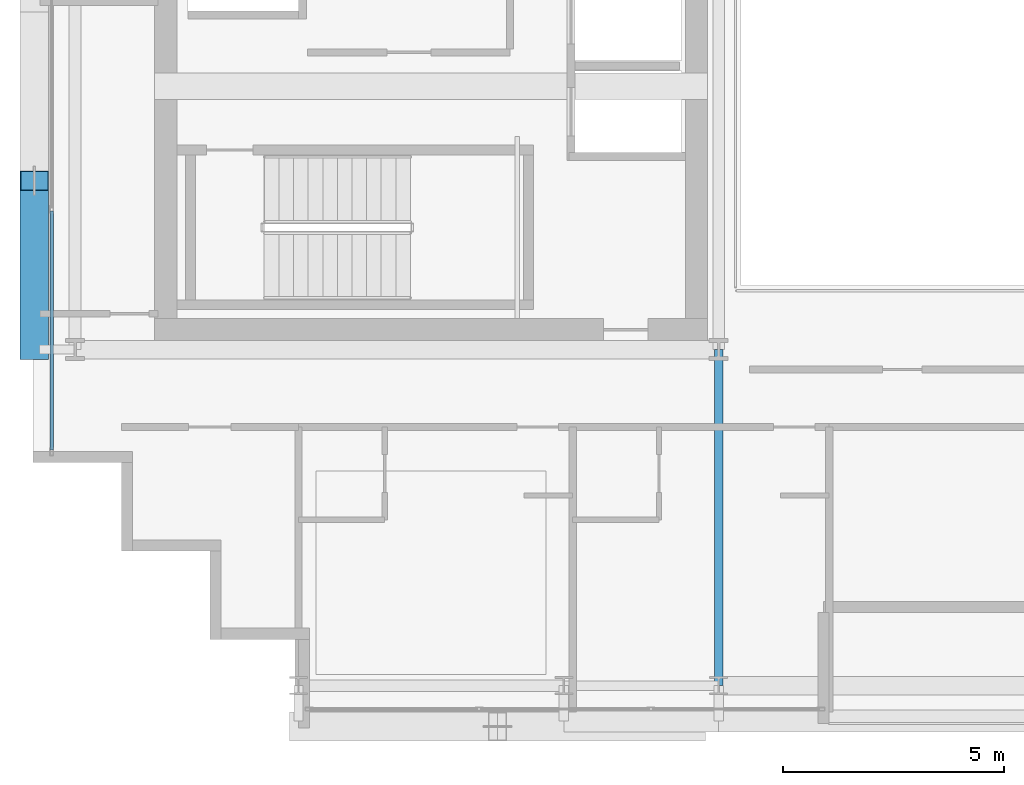
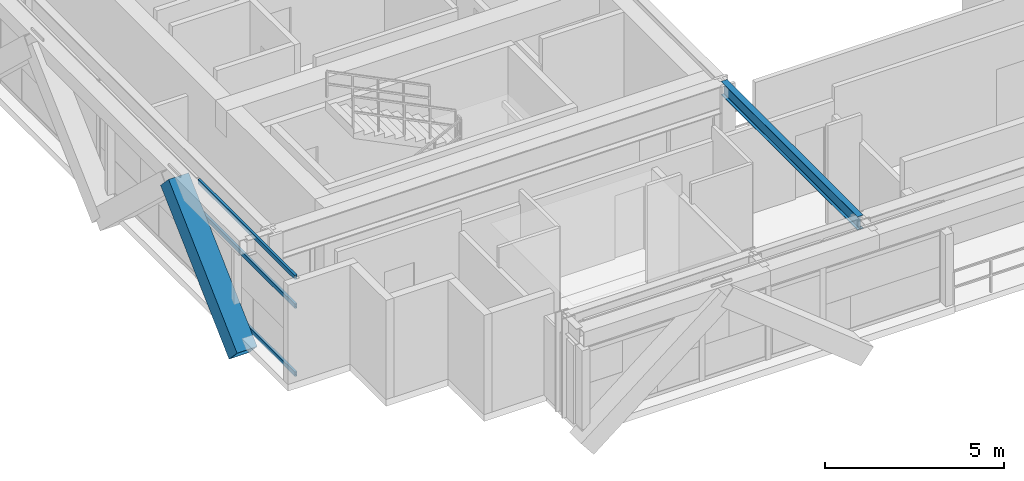
# One storey, part 3 of 31: 4 members, 1 beam, 1 element without a shape of its own.
"""IFC4 building model written with IfcOpenShell, lengths in metres."""

from ifc_helpers import new_model, si_unit, direction, frame, origin, origin_2d, place, context, subcontext, project, spatial, hollow_rectangle, i_section, extrude, source, transform, mapped, material, layer, layer_set, material_profile, profile_set, type_object, element, aggregate, save


model = new_model("IFC4")

# Units and contexts
model_context = context("Model", 3, precision=1e-05, world=origin(), true_north=direction((0.0, 1.0)))
body_context = subcontext(model_context, "Body", "Model", "MODEL_VIEW")
ifc_project = project(units=[si_unit("LENGTHUNIT", "METRE"), si_unit("AREAUNIT", "SQUARE_METRE"), si_unit("VOLUMEUNIT", "CUBIC_METRE"), si_unit("PLANEANGLEUNIT", "RADIAN"), si_unit("MASSUNIT", "GRAM", prefix="KILO")], contexts=[model_context])

# Site, building, storey
site_placement = place(None, origin())
site = spatial("IfcSite", under=ifc_project, at=site_placement, CompositionType="ELEMENT")
building_placement = place(site_placement, origin())
building = spatial("IfcBuilding", under=site, at=building_placement, Name="Ocotamira Hotel", CompositionType="ELEMENT")
storey_placement = place(building_placement, frame((0.0, 0.0, 181.199951171875)))
storey = spatial("IfcBuildingStorey", under=building, at=storey_placement, Name="L45", CompositionType="ELEMENT", Elevation=181.199951171875)

# Beam
ifc_material_1 = material(Name="Steel ASTM A992 Grade 50", Category="steel")
ifc_material_profile_1 = material_profile(ifc_material_1, i_section(OverallWidth=0.18994140625, OverallDepth=0.45703125, WebThickness=0.009033203125, FlangeThickness=0.014404296875, FilletRadius=0.010009765625, at=origin_2d()), Name="W18X50")
ifc_profile_set_1 = profile_set([ifc_material_profile_1], Name="Steel ASTM A992 Grade 50")
beam_type = type_object("IfcBeamType", Name="BM-SEC-W18X50", PredefinedType="JOIST", material=ifc_profile_set_1)
shared_shape_1 = source(origin(), body_context, "Body", "SweptSolid", [
    extrude(i_section(OverallWidth=0.18994140625, OverallDepth=0.45703125, WebThickness=0.009033203125, FlangeThickness=0.014404296875, FilletRadius=0.010009765625, at=origin_2d()), origin(), (0.0, 0.0, 1.0), 7.60009765625),
])
beam_placement = place(storey_placement, frame((23.5, 6.949951171875, 3.1416015625), z_axis=(0.0, 1.0, 0.0), x_axis=(-1.0, 0.0, 0.0)))
element("IfcBeam", 1, at=beam_placement, inside=storey, type_object=beam_type, Name="L45 Beam X23.5 Y6.95-14.55", PredefinedType="JOIST", context=body_context, shape_type="MappedRepresentation", body=[
    mapped(shared_shape_1, transform((0.0, 0.0, 0.0), scale=1.0)),
])

# Member
ifc_material_2 = material(Name="Pale-metal coated steel ASTM A913 Grade 65", Category="steel")
ifc_material_profile_2 = material_profile(ifc_material_2, hollow_rectangle(XDim=0.64990234375, YDim=0.64990234375, WallThickness=0.02197265625, at=origin_2d()), Name="BOX650X650X22")
ifc_profile_set_2 = profile_set([ifc_material_profile_2], Name="Pale-metal coated steel ASTM A913 Grade 65")
member_type_1 = type_object("IfcMemberType", Name="MEM-EXO-BOX650", PredefinedType="BRACE", material=ifc_profile_set_2)
shared_shape_2 = source(origin(), body_context, "Body", "SweptSolid", [
    extrude(hollow_rectangle(XDim=0.64990234375, YDim=0.64990234375, WallThickness=0.02197265625, at=origin_2d()), origin(), (0.0, 0.0, 1.0), 5.24658203125),
])
member_1_placement = place(storey_placement, frame((8.030029296875, 14.550048828125, -0.47998046875), z_axis=(0.0, 0.727442733726, 0.686168397078), x_axis=(-1.0, 0.0, 0.0)))
element("IfcMember", 2, at=member_1_placement, inside=storey, type_object=member_type_1, Name="L45 Exoskeleton Diagrid W0.1", PredefinedType="BRACE", context=body_context, shape_type="MappedRepresentation", body=[
    mapped(shared_shape_2, transform((0.0, 0.0, 0.0), scale=1.0)),
])

# Curtain wall, members
ifc_material_3 = material(Name="Anodised pale-metal aluminium and solar glass", Category="aluminium")
ifc_layer = layer(ifc_material_3, 0.199951171875)
ifc_layer_set = layer_set([ifc_layer], Name="Anodised pale-metal aluminium and solar glass")
curtain_wall_type = type_object("IfcCurtainWallType", Name="CW-SYS4-Z3", PredefinedType="NOTDEFINED", material=ifc_layer_set)
curtain_wall_placement = place(storey_placement, origin())
curtain_wall = element("IfcCurtainWall", 3, at=curtain_wall_placement, inside=storey, type_object=curtain_wall_type, Name="L45 Curtain Wall CW-4 CW-L45-W", PredefinedType="NOTDEFINED")
ifc_material_4 = material(Name="Anodised pale-metal aluminium 6063-T6", Category="aluminium")
ifc_material_profile_3 = material_profile(ifc_material_4, hollow_rectangle(XDim=0.074951171875, YDim=0.14990234375, WallThickness=0.006103515625, at=origin_2d()), Name="HSS150X75X6")
ifc_profile_set_3 = profile_set([ifc_material_profile_3], Name="Anodised pale-metal aluminium 6063-T6")
member_type_2 = type_object("IfcMemberType", Name="CWT-150X75", PredefinedType="USERDEFINED", material=ifc_profile_set_3)
shared_shape_3 = source(origin(), body_context, "Body", "SweptSolid", [
    extrude(hollow_rectangle(XDim=0.074951171875, YDim=0.14990234375, WallThickness=0.006103515625, at=origin_2d()), origin(), (0.0, 0.0, 1.0), 5.39990234375),
])
member_2_placement = place(storey_placement, frame((8.419921875, 12.280029296875, 0.03759765625), z_axis=(0.0, 1.0, 0.0), x_axis=(-1.0, 0.0, 0.0)))
member_2 = element("IfcMember", 4, at=member_2_placement, type_object=member_type_2, Name="CW-4 transom 1.1", ObjectType="TRANSOM", PredefinedType="USERDEFINED", context=body_context, shape_type="MappedRepresentation", body=[
    mapped(shared_shape_3, transform((0.0, 0.0, 0.0), scale=1.0)),
])
member_3_placement = place(storey_placement, frame((8.419921875, 12.280029296875, 2.35009765625), z_axis=(0.0, 1.0, 0.0), x_axis=(-1.0, 0.0, 0.0)))
member_3 = element("IfcMember", 5, at=member_3_placement, type_object=member_type_2, Name="CW-4 transom 1.2", ObjectType="TRANSOM", PredefinedType="USERDEFINED", context=body_context, shape_type="MappedRepresentation", body=[
    mapped(shared_shape_3, transform((0.0, 0.0, 0.0), scale=1.0)),
])
member_4_placement = place(storey_placement, frame((8.419921875, 12.280029296875, 3.33251953125), z_axis=(0.0, 1.0, 0.0), x_axis=(-1.0, 0.0, 0.0)))
member_4 = element("IfcMember", 6, at=member_4_placement, type_object=member_type_2, Name="CW-4 transom 1.3", ObjectType="TRANSOM", PredefinedType="USERDEFINED", context=body_context, shape_type="MappedRepresentation", body=[
    mapped(shared_shape_3, transform((0.0, 0.0, 0.0), scale=1.0)),
])
aggregate(curtain_wall, [member_2, member_3, member_4])

save(model, "model.ifc")
